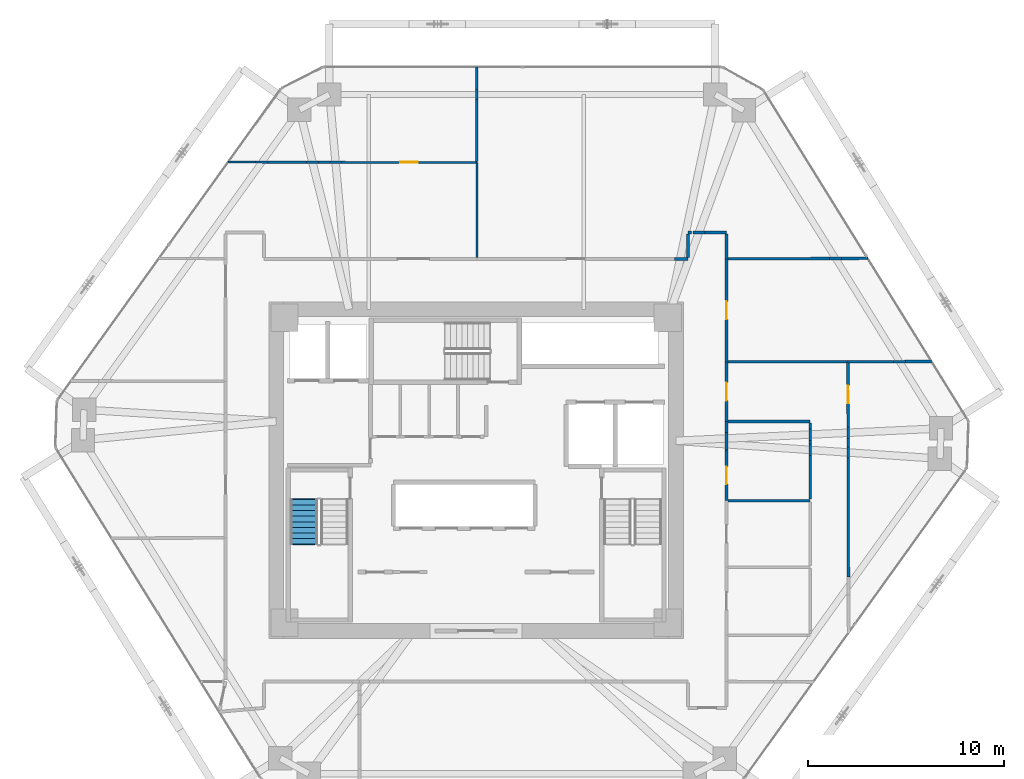
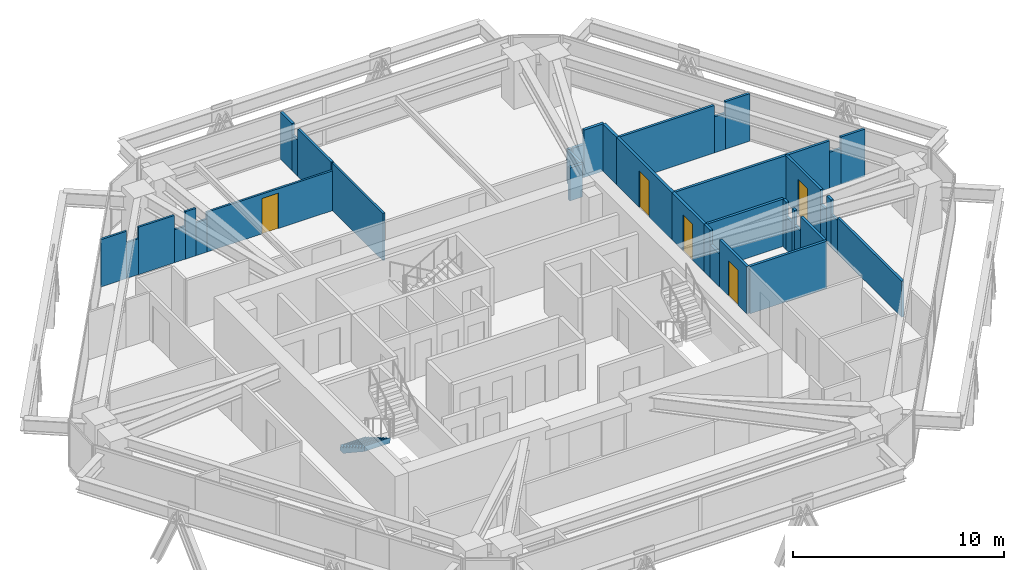
# One storey, part 15 of 17: 41 walls, 5 doors, 1 stair flight, 5 openings, 1 element without a shape of its own.
"""IFC4 building model written with IfcOpenShell, lengths in metres."""

import ifcopenshell
import ifcopenshell.guid

model = None  # the IFC model being written
_history = None  # IfcOwnerHistory: only IFC2X3 demands one
_inside = {}  # id of a spatial element -> (the spatial element, [elements in it])
_under = {}  # id of a project, library or spatial element -> (it, [spatial elements below it])
_declared = {}  # id of a project -> (the project, [libraries it declares])
_typed = {}  # id of a type object -> (the type object, [elements of that type])
_made_of = {}  # id of a material, layer set ... -> (it, [elements and type objects made of it])


def new_model(schema):
    """Start an empty IFC model of exactly this schema.

    Asked for "IFC4X3", IfcOpenShell would pick the latest addendum, in which some entities
    have other attributes; the version numbers below select the first issue.
    IFC2X3 requires an IfcOwnerHistory on every rooted entity: one is made here for all.
    """
    global model, _history
    if schema == "IFC4X3":
        model = ifcopenshell.file(schema_version=(4, 3, 0, 0))
    else:
        model = ifcopenshell.file(schema=schema)
    _inside.clear()
    _under.clear()
    _declared.clear()
    _typed.clear()
    _made_of.clear()
    _history = None
    if model.schema == "IFC2X3":
        org = make("IfcOrganization", Name="unknown")
        user = make(
            "IfcPersonAndOrganization",
            ThePerson=make("IfcPerson", FamilyName="unknown"),
            TheOrganization=org,
        )
        app = make(
            "IfcApplication",
            ApplicationDeveloper=org,
            Version="unknown",
            ApplicationFullName="unknown",
            ApplicationIdentifier="unknown",
        )
        _history = make(
            "IfcOwnerHistory",
            OwningUser=user,
            OwningApplication=app,
            ChangeAction="ADDED",
            CreationDate=0,
        )
    return model


def make(cls, **values):
    """One entity of the class cls with the attributes given. An attribute that is None is left unset."""
    return model.create_entity(
        cls, **{name: value for name, value in values.items() if value is not None}
    )


def rooted(cls, **values):
    """An entity with a GlobalId (a new one), such as an element, a storey or a relation."""
    return make(cls, GlobalId=ifcopenshell.guid.new(), OwnerHistory=_history, **values)


def si_unit(unit_type, name, prefix=None):
    """IfcSIUnit, for example si_unit("LENGTHUNIT", "METRE", prefix="MILLI")."""
    return make("IfcSIUnit", UnitType=unit_type, Prefix=prefix, Name=name)


def assignment(units):
    """IfcUnitAssignment: the units of a project."""
    return None if units is None else make("IfcUnitAssignment", Units=units)


def point(xyz):
    """IfcCartesianPoint."""
    return None if xyz is None else make("IfcCartesianPoint", Coordinates=xyz)


def direction(xyz):
    """IfcDirection."""
    return None if xyz is None else make("IfcDirection", DirectionRatios=xyz)


def frame(location, z_axis=None, x_axis=None):
    """IfcAxis2Placement3D, a coordinate frame: its origin and axes. An axis left out is left unset."""
    return make(
        "IfcAxis2Placement3D",
        Location=point(location),
        Axis=direction(z_axis),
        RefDirection=direction(x_axis),
    )


def frame_2d(location, x_axis=None):
    """IfcAxis2Placement2D, a coordinate frame in the plane: its origin and x axis."""
    return make(
        "IfcAxis2Placement2D", Location=point(location), RefDirection=direction(x_axis)
    )


def origin():
    """The frame at (0, 0, 0) with its axes left unset."""
    return frame((0.0, 0.0, 0.0))


def place(relative_to, where):
    """IfcLocalPlacement: puts the frame where relative to a parent placement (None: the world)."""
    return make(
        "IfcLocalPlacement", PlacementRelTo=relative_to, RelativePlacement=where
    )


def context(
    kind, dimensions, precision=None, world=None, true_north=None, identifier=None
):
    """IfcGeometricRepresentationContext, for example the 3D "Model" context."""
    return make(
        "IfcGeometricRepresentationContext",
        ContextIdentifier=identifier,
        ContextType=kind,
        CoordinateSpaceDimension=dimensions,
        Precision=precision,
        WorldCoordinateSystem=world,
        TrueNorth=true_north,
    )


def subcontext(parent, identifier, kind, view, scale=None):
    """IfcGeometricRepresentationSubContext, for example "Body" below "Model"."""
    return make(
        "IfcGeometricRepresentationSubContext",
        ContextIdentifier=identifier,
        ContextType=kind,
        ParentContext=parent,
        TargetScale=scale,
        TargetView=view,
    )


def project(units=None, contexts=None):
    """IfcProject with its units and contexts."""
    return rooted(
        "IfcProject",
        Name="project",
        RepresentationContexts=contexts,
        UnitsInContext=assignment(units),
    )


def spatial(cls, under=None, at=None, **own):
    """A site, building, storey or space (cls), placed at a placement, below another one or the project."""
    s = rooted(cls, ObjectPlacement=at, **own)
    if under is not None:
        _under.setdefault(under.id(), (under, []))[1].append(s)
    return s


def polyline(points):
    """IfcPolyline through the points."""
    return make("IfcPolyline", Points=[point(p) for p in points])


def profile(cls, at=None, kind="AREA", **sizes):
    """A parametric profile (cls). Its sizes go by their IFC names, for example OverallWidth=200.0."""
    return make(cls, ProfileType=kind, Position=at, **sizes)


def rectangle(**sizes):
    """IfcRectangleProfileDef."""
    return profile("IfcRectangleProfileDef", **sizes)


def outline(outer, holes=None, kind="AREA"):
    """IfcArbitraryClosedProfileDef: a profile drawn as a closed curve; with holes, ...WithVoids."""
    if holes is None:
        return make("IfcArbitraryClosedProfileDef", ProfileType=kind, OuterCurve=outer)
    return make(
        "IfcArbitraryProfileDefWithVoids",
        ProfileType=kind,
        OuterCurve=outer,
        InnerCurves=holes,
    )


def extrude(swept, where, along, depth):
    """IfcExtrudedAreaSolid: the profile swept, set in the frame where, extruded along a direction by depth."""
    return make(
        "IfcExtrudedAreaSolid",
        SweptArea=swept,
        Position=where,
        ExtrudedDirection=direction(along),
        Depth=depth,
    )


def shape(context_of_items, identifier, shape_type, items):
    """IfcShapeRepresentation: the items that make up one representation, for example the "Body"."""
    return make(
        "IfcShapeRepresentation",
        ContextOfItems=context_of_items,
        RepresentationIdentifier=identifier,
        RepresentationType=shape_type,
        Items=items,
    )


def source(mapping_origin, context_of_items, identifier, shape_type, items):
    """IfcRepresentationMap: a shape defined once, which mapped items show again and again."""
    return make(
        "IfcRepresentationMap",
        MappingOrigin=mapping_origin,
        MappedRepresentation=shape(context_of_items, identifier, shape_type, items),
    )


def transform(
    local_origin,
    x_axis=None,
    y_axis=None,
    z_axis=None,
    scale=None,
    scale2=None,
    scale3=None,
    uniform=True,
):
    """IfcCartesianTransformationOperator3D, or its non-uniform kind. x_axis, y_axis, z_axis: its Axis1, 2, 3."""
    if uniform:
        return make(
            "IfcCartesianTransformationOperator3D",
            Axis1=direction(x_axis),
            Axis2=direction(y_axis),
            LocalOrigin=point(local_origin),
            Scale=scale,
            Axis3=direction(z_axis),
        )
    return make(
        "IfcCartesianTransformationOperator3DnonUniform",
        Axis1=direction(x_axis),
        Axis2=direction(y_axis),
        LocalOrigin=point(local_origin),
        Scale=scale,
        Axis3=direction(z_axis),
        Scale2=scale2,
        Scale3=scale3,
    )


def mapped(mapping_source, mapping_target):
    """IfcMappedItem: shows the shape of a source again, moved by a transform."""
    return make(
        "IfcMappedItem", MappingSource=mapping_source, MappingTarget=mapping_target
    )


def material(Name=None, Category=None):
    """IfcMaterial."""
    return make("IfcMaterial", Name=Name, Category=Category)


def layer(
    of_material, thickness, ventilated=None, Name=None, Category=None, Priority=None
):
    """IfcMaterialLayer: one layer of a wall or slab, of a material (None: an air gap)."""
    return make(
        "IfcMaterialLayer",
        Material=of_material,
        LayerThickness=thickness,
        IsVentilated=ventilated,
        Name=Name,
        Category=Category,
        Priority=Priority,
    )


def layer_set(layers, Name=None):
    """IfcMaterialLayerSet."""
    return make("IfcMaterialLayerSet", MaterialLayers=layers, LayerSetName=Name)


def made_of(thing, what):
    """Note that an element or type object is made of a material, layer set ...; save() writes the relation."""
    if what is not None:
        _made_of.setdefault(what.id(), (what, []))[1].append(thing)
    return thing


def type_object(cls, material=None, **own):
    """A type object (cls), such as IfcWallType, which elements share."""
    return made_of(rooted(cls, **own), material)


def type_shapes(of_type, sources):
    """Give a type object the sources (RepresentationMaps) that its elements show as mapped items."""
    of_type.RepresentationMaps = sources


def element(
    cls,
    number,
    at=None,
    inside=None,
    cuts=None,
    type_object=None,
    material=None,
    context=None,
    identifier="Body",
    shape_type=None,
    held_by="IfcProductDefinitionShape",
    body=None,
    shapes=None,
    **own,
):
    """One element of the class cls, such as IfcWall. Its Tag is "e" and its number.

    at: its placement. inside: the storey or other place that contains it. cuts: it is an
    opening in that element (IfcRelVoidsElement). A single representation is given by context,
    identifier, shape_type and body (its items); several are given by shapes. held_by: the class
    of the entity that holds the representations. save() writes the other relations.
    """
    e = rooted(cls, Tag="e%d" % number, ObjectPlacement=at, **own)
    if body is not None:
        shapes = [shape(context, identifier, shape_type, body)]
    if shapes is not None:
        e.Representation = make(held_by, Representations=shapes)
    if inside is not None:
        _inside.setdefault(inside.id(), (inside, []))[1].append(e)
    if cuts is not None:
        rooted(
            "IfcRelVoidsElement", RelatingBuildingElement=cuts, RelatedOpeningElement=e
        )
    if type_object is not None:
        _typed.setdefault(type_object.id(), (type_object, []))[1].append(e)
    return made_of(e, material)


def fill(opening, filler):
    """IfcRelFillsElement: the door or window that sits in an opening."""
    return rooted(
        "IfcRelFillsElement",
        RelatingOpeningElement=opening,
        RelatedBuildingElement=filler,
    )


def aggregate(whole, parts):
    """IfcRelAggregates: a whole, such as a stair, and the parts it consists of."""
    return rooted("IfcRelAggregates", RelatingObject=whole, RelatedObjects=parts)


def save(model, path):
    """Write the relations noted so far, then the file.

    IfcRelAggregates (storeys below a building ...), IfcRelContainedInSpatialStructure (elements
    in a storey), IfcRelDefinesByType, IfcRelAssociatesMaterial and IfcRelDeclares: one each for
    every whole, place, type object, material and project.
    """
    for whole, parts in _under.values():
        aggregate(whole, parts)
    for where, things in _inside.values():
        rooted(
            "IfcRelContainedInSpatialStructure",
            RelatedElements=things,
            RelatingStructure=where,
        )
    for kind, things in _typed.values():
        rooted("IfcRelDefinesByType", RelatedObjects=things, RelatingType=kind)
    for what, things in _made_of.values():
        rooted("IfcRelAssociatesMaterial", RelatedObjects=things, RelatingMaterial=what)
    for by, libraries in _declared.values():
        rooted("IfcRelDeclares", RelatingContext=by, RelatedDefinitions=libraries)
    model.write(path)


model = new_model("IFC4")

# Units and contexts
model_context = context("Model", 3, precision=1e-05, world=origin(), true_north=direction((0.0, 1.0)))
body_context = subcontext(model_context, "Body", "Model", "MODEL_VIEW")
ifc_project = project(units=[si_unit("LENGTHUNIT", "METRE"), si_unit("AREAUNIT", "SQUARE_METRE"), si_unit("VOLUMEUNIT", "CUBIC_METRE"), si_unit("PLANEANGLEUNIT", "RADIAN"), si_unit("MASSUNIT", "GRAM", prefix="KILO")], contexts=[model_context])

# Site, building, storey
site_placement = place(None, origin())
site = spatial("IfcSite", under=ifc_project, at=site_placement, CompositionType="ELEMENT")
building_placement = place(site_placement, origin())
building = spatial("IfcBuilding", under=site, at=building_placement, Name="Durnholm Broadcast Tower", CompositionType="ELEMENT")
storey_placement = place(building_placement, frame((0.0, 0.0, 137.10009765625)))
storey = spatial("IfcBuildingStorey", under=building, at=storey_placement, Name="L37", CompositionType="ELEMENT", Elevation=137.10009765625)

# Walls
ifc_material_1 = material(Name="Operable Acoustic Panel Partition", Category="aluminium")
ifc_layer_1 = layer(ifc_material_1, 0.110107421875)
ifc_layer_set_1 = layer_set([ifc_layer_1], Name="Operable Acoustic Panel Partition")
wall_type_1 = type_object("IfcWallType", Name="WALL-MOV-110", PredefinedType="MOVABLE", material=ifc_layer_set_1)
wall_1_placement = place(storey_placement, frame((-12.67529296875, 15.75634765625, 0.0), z_axis=(0.0, 0.0, 1.0), x_axis=(0.999998150246, -0.001923409626, 0.0)))
element("IfcWall", 1, at=wall_1_placement, inside=storey, type_object=wall_type_1, Name="L37 room dividing partition 11.12", PredefinedType="MOVABLE", context=body_context, shape_type="SweptSolid", body=[
    extrude(rectangle(XDim=1.396240234375, YDim=0.110107421875, at=frame_2d((0.6982421875, 0.0))), origin(), (0.0, 0.0, 1.0), 2.744873046875),
])
wall_2_placement = place(storey_placement, frame((-10.62841796875, 15.75244140625, 0.0), z_axis=(0.0, 0.0, 1.0), x_axis=(0.999998479416, -0.001743893711, 0.0)))
element("IfcWall", 2, at=wall_2_placement, inside=storey, type_object=wall_type_1, Name="L37 room dividing partition 11.12", PredefinedType="MOVABLE", context=body_context, shape_type="SweptSolid", body=[
    extrude(rectangle(XDim=1.9599609375, YDim=0.110107421875, at=frame_2d((0.97998046875, 0.0))), origin(), (0.0, 0.0, 1.0), 2.744873046875),
])
wall_3_placement = place(storey_placement, frame((-8.0654296875, 15.747802734375, 0.0), z_axis=(0.0, 0.0, 1.0), x_axis=(0.999998623758, -0.001659060346, 0.0)))
element("IfcWall", 3, at=wall_3_placement, inside=storey, type_object=wall_type_1, Name="L37 room dividing partition 11.12", PredefinedType="MOVABLE", context=body_context, shape_type="SweptSolid", body=[
    extrude(rectangle(XDim=0.588623046875, YDim=0.110107421875, at=frame_2d((0.29443359375, 0.0))), origin(), (0.0, 0.0, 1.0), 2.744873046875),
])

# Wall, opening, door
wall_4_placement = place(storey_placement, frame((-6.889404296875, 15.74560546875, 0.0), z_axis=(0.0, 0.0, 1.0), x_axis=(0.999998321741, -0.00183207951, 0.0)))
wall_4 = element("IfcWall", 4, at=wall_4_placement, inside=storey, type_object=wall_type_1, Name="L37 room dividing partition 11.12", PredefinedType="MOVABLE", context=body_context, shape_type="SweptSolid", body=[
    extrude(rectangle(XDim=6.929443359375, YDim=0.110107421875, at=frame_2d((3.46484375, 0.0))), origin(), (0.0, 0.0, 1.0), 2.30810546875),
])
opening_1_placement = place(wall_4_placement, frame((3.0146484375, 0.0, 0.0)))
opening_1 = element("IfcOpeningElement", 5, at=opening_1_placement, cuts=wall_4, Name="Opening DW-90L", PredefinedType="OPENING", context=body_context, shape_type="SweptSolid", body=[
    extrude(rectangle(XDim=0.89990234375, YDim=2.050048828125, at=frame_2d((0.449951171875, 1.02490234375))), frame((0.0, 0.06494140625, 0.0), z_axis=(0.0, -1.0, 0.0), x_axis=(1.0, 0.0, 0.0)), (0.0, 0.0, 1.0), 0.130126953125),
])
ifc_material_2 = material(Name="Laminate Restroom Door", Category="steel")
ifc_layer_2 = layer(ifc_material_2, 0.050048828125)
ifc_layer_set_2 = layer_set([ifc_layer_2], Name="Laminate Restroom Door")
door_type_1 = type_object("IfcDoorType", Name="DOOR-WC-900L", OperationType="NOTDEFINED", PredefinedType="DOOR", material=ifc_layer_set_2)
shared_shape_1 = source(origin(), body_context, "Body", "SweptSolid", [
    extrude(rectangle(XDim=0.89990234375, YDim=2.050048828125, at=frame_2d((0.449951171875, 1.02490234375))), frame((0.0, 0.02490234375, 0.0), z_axis=(0.0, -1.0, 0.0), x_axis=(1.0, 0.0, 0.0)), (0.0, 0.0, 1.0), 0.050048828125),
])
type_shapes(door_type_1, [shared_shape_1])
door_1_placement = place(opening_1_placement, origin())
door_1 = element("IfcDoor", 6, at=door_1_placement, inside=storey, type_object=door_type_1, Name="L37 Open Plan Broadcast Workspace 3 connecting door", OperationType="SINGLE_SWING_LEFT", OverallHeight=2.050048828125, OverallWidth=0.89990234375, PredefinedType="DOOR", context=body_context, shape_type="MappedRepresentation", body=[
    mapped(shared_shape_1, transform((0.0, 0.0, 0.0), x_axis=(1.0, 0.0, 0.0), y_axis=(0.0, 1.0, 0.0), z_axis=(0.0, 0.0, 1.0), scale=1.0)),
])
fill(opening_1, door_1)

# Walls
wall_5_placement = place(storey_placement, frame((-11.279052734375, 15.753662109375, 0.0), z_axis=(0.0, 0.0, 1.0), x_axis=(0.999998239993, -0.001876169306, 0.0)))
element("IfcWall", 7, at=wall_5_placement, inside=storey, type_object=wall_type_1, Name="L37 room dividing partition 11.12", PredefinedType="MOVABLE", context=body_context, shape_type="SweptSolid", body=[
    extrude(rectangle(XDim=0.650634765625, YDim=0.110107421875, at=frame_2d((0.3251953125, 0.0))), origin(), (0.0, 0.0, 1.0), 2.079833984375),
])
wall_6_placement = place(storey_placement, frame((-8.66845703125, 15.7490234375, 0.0), z_axis=(0.0, 0.0, 1.0), x_axis=(0.999997951128, -0.00202428735, 0.0)))
element("IfcWall", 8, at=wall_6_placement, inside=storey, type_object=wall_type_1, Name="L37 room dividing partition 11.12", PredefinedType="MOVABLE", context=body_context, shape_type="SweptSolid", body=[
    extrude(rectangle(XDim=0.60302734375, YDim=0.110107421875, at=frame_2d((0.301513671875, 0.0))), origin(), (0.0, 0.0, 1.0), 1.912109375),
])
wall_7_placement = place(storey_placement, frame((-7.476806640625, 15.746826171875, 0.0), z_axis=(0.0, 0.0, 1.0), x_axis=(0.999997840678, -0.002078133501, 0.0)))
element("IfcWall", 9, at=wall_7_placement, inside=storey, type_object=wall_type_1, Name="L37 room dividing partition 11.12", PredefinedType="MOVABLE", context=body_context, shape_type="SweptSolid", body=[
    extrude(rectangle(XDim=0.58740234375, YDim=0.110107421875, at=frame_2d((0.293701171875, 0.0))), origin(), (0.0, 0.0, 1.0), 1.912109375),
])
wall_8_placement = place(storey_placement, frame((0.0400390625, 15.73291015625, 0.0), z_axis=(0.0, 0.0, 1.0), x_axis=(0.0, -1.0, 0.0)))
element("IfcWall", 10, at=wall_8_placement, inside=storey, type_object=wall_type_1, Name="L37 room dividing partition 11.13", PredefinedType="MOVABLE", context=body_context, shape_type="SweptSolid", body=[
    extrude(rectangle(XDim=4.843994140625, YDim=0.110107421875, at=frame_2d((2.421875, 0.0))), origin(), (0.0, 0.0, 1.0), 2.744873046875),
])
ifc_material_3 = material(Name="Gypsum Metal Stud Partition", Category="concrete")
ifc_layer_3 = layer(ifc_material_3, 0.135009765625)
ifc_layer_set_3 = layer_set([ifc_layer_3], Name="Gypsum Metal Stud Partition")
wall_type_2 = type_object("IfcWallType", Name="WALL-PART-135", PredefinedType="PARTITIONING", material=ifc_layer_set_3)
wall_9_placement = place(storey_placement, frame((0.0400390625, 20.614990234375, 0.0), z_axis=(0.0, 0.0, 1.0), x_axis=(0.0, -1.0, 0.0)))
element("IfcWall", 11, at=wall_9_placement, inside=storey, type_object=wall_type_2, Name="L37 room dividing partition 12.13", PredefinedType="PARTITIONING", context=body_context, shape_type="SweptSolid", body=[
    extrude(rectangle(XDim=1.135498046875, YDim=0.135009765625, at=frame_2d((0.56787109375, 0.0))), origin(), (0.0, 0.0, 1.0), 2.744873046875),
])
wall_10_placement = place(storey_placement, frame((0.0400390625, 18.950439453125, 0.0), z_axis=(0.0, 0.0, 1.0), x_axis=(0.0, -1.0, 0.0)))
element("IfcWall", 12, at=wall_10_placement, inside=storey, type_object=wall_type_2, Name="L37 room dividing partition 12.13", PredefinedType="PARTITIONING", context=body_context, shape_type="SweptSolid", body=[
    extrude(rectangle(XDim=3.158447265625, YDim=0.135009765625, at=frame_2d((1.5791015625, 0.0))), origin(), (0.0, 0.0, 1.0), 2.744873046875),
])
wall_11_placement = place(storey_placement, frame((0.0400390625, 19.4794921875, 0.0), z_axis=(0.0, 0.0, 1.0), x_axis=(0.0, -1.0, 0.0)))
element("IfcWall", 13, at=wall_11_placement, inside=storey, type_object=wall_type_2, Name="L37 room dividing partition 12.13", PredefinedType="PARTITIONING", context=body_context, shape_type="SweptSolid", body=[
    extrude(rectangle(XDim=0.529052734375, YDim=0.135009765625, at=frame_2d((0.2646484375, 0.0))), origin(), (0.0, 0.0, 1.0), 2.079833984375),
])
wall_12_placement = place(storey_placement, frame((20.03515625, 10.8310546875, 0.0), z_axis=(0.0, 0.0, 1.0), x_axis=(-0.999995711111, -0.002928781142, 0.0)))
element("IfcWall", 14, at=wall_12_placement, inside=storey, type_object=wall_type_2, Name="L37 room dividing partition 13.21", PredefinedType="PARTITIONING", context=body_context, shape_type="SweptSolid", body=[
    extrude(rectangle(XDim=1.333740234375, YDim=0.135009765625, at=frame_2d((0.6669921875, 0.0))), origin(), (0.0, 0.0, 1.0), 2.744873046875),
])
wall_13_placement = place(storey_placement, frame((18.080078125, 10.825439453125, 0.0), z_axis=(0.0, 0.0, 1.0), x_axis=(-0.999995748898, -0.002915850841, 0.0)))
element("IfcWall", 15, at=wall_13_placement, inside=storey, type_object=wall_type_2, Name="L37 room dividing partition 13.21", PredefinedType="PARTITIONING", context=body_context, shape_type="SweptSolid", body=[
    extrude(rectangle(XDim=5.191162109375, YDim=0.135009765625, at=frame_2d((2.595703125, 0.0))), origin(), (0.0, 0.0, 1.0), 2.744873046875),
])
wall_14_placement = place(storey_placement, frame((18.701416015625, 10.8271484375, 0.0), z_axis=(0.0, 0.0, 1.0), x_axis=(-0.999996217421, -0.002750480755, 0.0)))
element("IfcWall", 16, at=wall_14_placement, inside=storey, type_object=wall_type_2, Name="L37 room dividing partition 13.21", PredefinedType="PARTITIONING", context=body_context, shape_type="SweptSolid", body=[
    extrude(rectangle(XDim=0.621337890625, YDim=0.135009765625, at=frame_2d((0.310546875, 0.0))), origin(), (0.0, 0.0, 1.0), 2.079833984375),
])

# Wall, opening, door
wall_15_placement = place(storey_placement, frame((19.02197265625, 5.5400390625, 0.0), z_axis=(0.0, 0.0, 1.0), x_axis=(0.002343457498, -0.9999972541, 0.0)))
wall_15 = element("IfcWall", 17, at=wall_15_placement, inside=storey, type_object=wall_type_2, Name="L37 room dividing partition 19.20", PredefinedType="PARTITIONING", context=body_context, shape_type="SweptSolid", body=[
    extrude(rectangle(XDim=3.333740234375, YDim=0.135009765625, at=frame_2d((1.6669921875, 0.0))), origin(), (0.0, 0.0, 1.0), 2.744873046875),
])
opening_2_placement = place(wall_15_placement, frame((1.216796875, 0.0, 0.0)))
opening_2 = element("IfcOpeningElement", 18, at=opening_2_placement, cuts=wall_15, Name="Opening DW-90L", PredefinedType="OPENING", context=body_context, shape_type="SweptSolid", body=[
    extrude(rectangle(XDim=0.89990234375, YDim=2.050048828125, at=frame_2d((0.449951171875, 1.02490234375))), frame((0.0, 0.07763671875, 0.0), z_axis=(0.0, -1.0, 0.0), x_axis=(1.0, 0.0, 0.0)), (0.0, 0.0, 1.0), 0.155029296875),
])
door_2_placement = place(opening_2_placement, origin())
door_2 = element("IfcDoor", 19, at=door_2_placement, inside=storey, type_object=door_type_1, Name="L37 Open Plan Broadcast Workspace 5 connecting door", OperationType="SINGLE_SWING_LEFT", OverallHeight=2.050048828125, OverallWidth=0.89990234375, PredefinedType="DOOR", context=body_context, shape_type="MappedRepresentation", body=[
    mapped(shared_shape_1, transform((0.0, 0.0, 0.0), x_axis=(1.0, 0.0, 0.0), y_axis=(0.0, 1.0, 0.0), z_axis=(0.0, 0.0, 1.0), scale=1.0)),
])
fill(opening_2, door_2)

# Walls
wall_16_placement = place(storey_placement, frame((19.03125, 1.620849609375, 0.0), z_axis=(0.0, 0.0, 1.0), x_axis=(0.002306798937, -0.999997339336, 0.0)))
element("IfcWall", 20, at=wall_16_placement, inside=storey, type_object=wall_type_2, Name="L37 room dividing partition 19.20", PredefinedType="PARTITIONING", context=body_context, shape_type="SweptSolid", body=[
    extrude(rectangle(XDim=0.42333984375, YDim=0.135009765625, at=frame_2d((0.211669921875, 0.0))), origin(), (0.0, 0.0, 1.0), 2.744873046875),
])
wall_17_placement = place(storey_placement, frame((19.03369140625, 0.611083984375, 0.0), z_axis=(0.0, 0.0, 1.0), x_axis=(0.002326787941, -0.999997293025, 0.0)))
element("IfcWall", 21, at=wall_17_placement, inside=storey, type_object=wall_type_2, Name="L37 room dividing partition 19.20", PredefinedType="PARTITIONING", context=body_context, shape_type="SweptSolid", body=[
    extrude(rectangle(XDim=6.085693359375, YDim=0.135009765625, at=frame_2d((3.04296875, 0.0))), origin(), (0.0, 0.0, 1.0), 2.079833984375),
])
wall_18_placement = place(storey_placement, frame((19.02978515625, 2.206298828125, 0.0), z_axis=(0.0, 0.0, 1.0), x_axis=(0.002502077239, -0.9999968698, 0.0)))
element("IfcWall", 22, at=wall_18_placement, inside=storey, type_object=wall_type_2, Name="L37 room dividing partition 19.20", PredefinedType="PARTITIONING", context=body_context, shape_type="SweptSolid", body=[
    extrude(rectangle(XDim=0.58544921875, YDim=0.135009765625, at=frame_2d((0.292724609375, 0.0))), origin(), (0.0, 0.0, 1.0), 1.912109375),
])
wall_19_placement = place(storey_placement, frame((19.0322265625, 1.197509765625, 0.0), z_axis=(0.0, 0.0, 1.0), x_axis=(0.002497910608, -0.999996880216, 0.0)))
element("IfcWall", 23, at=wall_19_placement, inside=storey, type_object=wall_type_2, Name="L37 room dividing partition 19.20", PredefinedType="PARTITIONING", context=body_context, shape_type="SweptSolid", body=[
    extrude(rectangle(XDim=0.58642578125, YDim=0.135009765625, at=frame_2d((0.293212890625, 0.0))), origin(), (0.0, 0.0, 1.0), 1.912109375),
])
wall_20_placement = place(storey_placement, frame((12.888916015625, 5.5400390625, 0.0), z_axis=(0.0, 0.0, 1.0), x_axis=(1.0, 0.0, 0.0)))
element("IfcWall", 24, at=wall_20_placement, inside=storey, type_object=wall_type_2, Name="L37 room dividing partition 19.21", PredefinedType="PARTITIONING", context=body_context, shape_type="SweptSolid", body=[
    extrude(rectangle(XDim=6.133056640625, YDim=0.135009765625, at=frame_2d((3.06640625, 0.0))), origin(), (0.0, 0.0, 1.0), 2.744873046875),
])
wall_21_placement = place(storey_placement, frame((19.02197265625, 5.540283203125, 0.0), z_axis=(0.0, 0.0, 1.0), x_axis=(0.999987864405, 0.00492656495, 0.0)))
element("IfcWall", 25, at=wall_21_placement, inside=storey, type_object=wall_type_2, Name="L37 room dividing partition 20.21", PredefinedType="PARTITIONING", context=body_context, shape_type="SweptSolid", body=[
    extrude(rectangle(XDim=2.3291015625, YDim=0.135009765625, at=frame_2d((1.16455078125, 0.0))), origin(), (0.0, 0.0, 1.0), 2.744873046875),
])
wall_22_placement = place(storey_placement, frame((21.971923828125, 5.5546875, 0.0), z_axis=(0.0, 0.0, 1.0), x_axis=(0.999988649855, 0.004764468553, 0.0)))
element("IfcWall", 26, at=wall_22_placement, inside=storey, type_object=wall_type_2, Name="L37 room dividing partition 20.21", PredefinedType="PARTITIONING", context=body_context, shape_type="SweptSolid", body=[
    extrude(rectangle(XDim=1.332275390625, YDim=0.135009765625, at=frame_2d((0.666015625, 0.0))), origin(), (0.0, 0.0, 1.0), 2.744873046875),
])
wall_23_placement = place(storey_placement, frame((21.35107421875, 5.5517578125, 0.0), z_axis=(0.0, 0.0, 1.0), x_axis=(0.999988866479, 0.004718783483, 0.0)))
element("IfcWall", 27, at=wall_23_placement, inside=storey, type_object=wall_type_2, Name="L37 room dividing partition 20.21", PredefinedType="PARTITIONING", context=body_context, shape_type="SweptSolid", body=[
    extrude(rectangle(XDim=0.620849609375, YDim=0.135009765625, at=frame_2d((0.310546875, 0.0))), origin(), (0.0, 0.0, 1.0), 2.079833984375),
])
ifc_material_4 = material(Name="Acoustic Gypsum Stud Partition", Category="concrete")
ifc_layer_4 = layer(ifc_material_4, 0.14990234375)
ifc_layer_set_4 = layer_set([ifc_layer_4], Name="Acoustic Gypsum Stud Partition")
wall_type_3 = type_object("IfcWallType", Name="WALL-PART-150", PredefinedType="PARTITIONING", material=ifc_layer_set_4)
wall_24_placement = place(storey_placement, frame((10.840087890625, 10.81005859375, 0.0), z_axis=(0.0, 0.0, 1.0), x_axis=(-1.0, 0.0, 0.0)))
element("IfcWall", 28, at=wall_24_placement, inside=storey, type_object=wall_type_3, Name="L37 Realtime Graphics Lounge corridor partition", PredefinedType="PARTITIONING", context=body_context, shape_type="SweptSolid", body=[
    extrude(rectangle(XDim=0.698486328125, YDim=0.14990234375, at=frame_2d((0.34912109375, 0.0))), origin(), (0.0, 0.0, 1.0), 1.912109375),
])
wall_25_placement = place(storey_placement, frame((12.81005859375, 12.159912109375, 0.0), z_axis=(0.0, 0.0, 1.0), x_axis=(-1.0, 0.0, 0.0)))
element("IfcWall", 29, at=wall_25_placement, inside=storey, type_object=wall_type_3, Name="L37 Realtime Graphics Lounge corridor partition", PredefinedType="PARTITIONING", context=body_context, shape_type="SweptSolid", body=[
    extrude(rectangle(XDim=1.09765625, YDim=0.14990234375, at=frame_2d((0.548828125, 0.0))), origin(), (0.0, 0.0, 1.0), 2.744873046875),
])
wall_26_placement = place(storey_placement, frame((11.71240234375, 12.159912109375, 0.0), z_axis=(0.0, 0.0, 1.0), x_axis=(-1.0, 0.0, 0.0)))
element("IfcWall", 30, at=wall_26_placement, inside=storey, type_object=wall_type_3, Name="L37 Realtime Graphics Lounge corridor partition", PredefinedType="PARTITIONING", context=body_context, shape_type="SweptSolid", body=[
    extrude(rectangle(XDim=0.623291015625, YDim=0.14990234375, at=frame_2d((0.3115234375, 0.0))), origin(), (0.0, 0.0, 1.0), 1.912109375),
])
wall_27_placement = place(storey_placement, frame((11.027099609375, 12.159912109375, 0.0), z_axis=(0.0, 0.0, 1.0), x_axis=(-1.0, 0.0, 0.0)))
element("IfcWall", 31, at=wall_27_placement, inside=storey, type_object=wall_type_3, Name="L37 Realtime Graphics Lounge corridor partition", PredefinedType="PARTITIONING", context=body_context, shape_type="SweptSolid", body=[
    extrude(rectangle(XDim=0.18701171875, YDim=0.14990234375, at=frame_2d((0.093505859375, 0.0))), origin(), (0.0, 0.0, 1.0), 1.912109375),
])
wall_28_placement = place(storey_placement, frame((12.81005859375, 10.81005859375, 0.0), z_axis=(0.0, 0.0, 1.0), x_axis=(0.0, 1.0, 0.0)))
element("IfcWall", 32, at=wall_28_placement, inside=storey, type_object=wall_type_3, Name="L37 Realtime Graphics Lounge corridor partition", PredefinedType="PARTITIONING", context=body_context, shape_type="SweptSolid", body=[
    extrude(rectangle(XDim=1.27099609375, YDim=0.14990234375, at=frame_2d((0.635498046875, 0.0))), origin(), (0.0, 0.0, 1.0), 2.744873046875),
])
wall_29_placement = place(storey_placement, frame((10.840087890625, 12.0810546875, 0.0), z_axis=(0.0, 0.0, 1.0), x_axis=(0.0, -1.0, 0.0)))
element("IfcWall", 33, at=wall_29_placement, inside=storey, type_object=wall_type_3, Name="L37 Realtime Graphics Lounge corridor partition", PredefinedType="PARTITIONING", context=body_context, shape_type="SweptSolid", body=[
    extrude(rectangle(XDim=1.192138671875, YDim=0.14990234375, at=frame_2d((0.59619140625, 0.0))), origin(), (0.0, 0.0, 1.0), 1.912109375),
])

# Wall, opening, door
wall_30_placement = place(storey_placement, frame((12.81005859375, 2.489990234375, 0.0), z_axis=(0.0, 0.0, 1.0), x_axis=(0.0, 1.0, 0.0)))
wall_30 = element("IfcWall", 34, at=wall_30_placement, inside=storey, type_object=wall_type_3, Name="L37 Realtime Graphics Lounge corridor partition", PredefinedType="PARTITIONING", context=body_context, shape_type="SweptSolid", body=[
    extrude(rectangle(XDim=3.050048828125, YDim=0.14990234375, at=frame_2d((1.52490234375, 0.0))), origin(), (0.0, 0.0, 1.0), 2.744873046875),
])
opening_3_placement = place(wall_30_placement, frame((1.06494140625, 0.0, 0.0)))
opening_3 = element("IfcOpeningElement", 35, at=opening_3_placement, cuts=wall_30, Name="Opening DR-92L", PredefinedType="OPENING", context=body_context, shape_type="SweptSolid", body=[
    extrude(rectangle(XDim=0.919921875, YDim=2.10009765625, at=frame_2d((0.4599609375, 1.050048828125))), frame((0.0, 0.0849609375, 0.0), z_axis=(0.0, -1.0, 0.0), x_axis=(1.0, 0.0, 0.0)), (0.0, 0.0, 1.0), 0.169921875),
])
ifc_material_5 = material(Name="Oak Veneer Office Door", Category="wood")
ifc_layer_5 = layer(ifc_material_5, 0.050048828125)
ifc_layer_set_5 = layer_set([ifc_layer_5], Name="Oak Veneer Office Door")
door_type_2 = type_object("IfcDoorType", Name="DOOR-RM-920L", OperationType="NOTDEFINED", PredefinedType="DOOR", material=ifc_layer_set_5)
shared_shape_2 = source(origin(), body_context, "Body", "SweptSolid", [
    extrude(rectangle(XDim=0.919921875, YDim=2.10009765625, at=frame_2d((0.4599609375, 1.050048828125))), frame((0.0, 0.02490234375, 0.0), z_axis=(0.0, -1.0, 0.0), x_axis=(1.0, 0.0, 0.0)), (0.0, 0.0, 1.0), 0.050048828125),
])
type_shapes(door_type_2, [shared_shape_2])
door_3_placement = place(opening_3_placement, origin())
door_3 = element("IfcDoor", 36, at=door_3_placement, inside=storey, type_object=door_type_2, Name="L37 Realtime Graphics Lounge entrance door", OperationType="SINGLE_SWING_LEFT", OverallHeight=2.10009765625, OverallWidth=0.919921875, PredefinedType="DOOR", context=body_context, shape_type="MappedRepresentation", body=[
    mapped(shared_shape_2, transform((0.0, 0.0, 0.0), x_axis=(1.0, 0.0, 0.0), y_axis=(0.0, 1.0, 0.0), z_axis=(0.0, 0.0, 1.0), scale=1.0)),
])
fill(opening_3, door_3)

wall_31_placement = place(storey_placement, frame((12.81005859375, 5.5400390625, 0.0), z_axis=(0.0, 0.0, 1.0), x_axis=(0.0, 1.0, 0.0)))
wall_31 = element("IfcWall", 37, at=wall_31_placement, inside=storey, type_object=wall_type_3, Name="L37 Studio Kitchen corridor partition", PredefinedType="PARTITIONING", context=body_context, shape_type="SweptSolid", body=[
    extrude(rectangle(XDim=5.27001953125, YDim=0.14990234375, at=frame_2d((2.635009765625, 0.0))), origin(), (0.0, 0.0, 1.0), 2.744873046875),
])
opening_4_placement = place(wall_31_placement, frame((2.175048828125, 0.0, 0.0)))
opening_4 = element("IfcOpeningElement", 38, at=opening_4_placement, cuts=wall_31, Name="Opening DR-92R", PredefinedType="OPENING", context=body_context, shape_type="SweptSolid", body=[
    extrude(rectangle(XDim=0.919921875, YDim=2.10009765625, at=frame_2d((0.4599609375, 1.050048828125))), frame((0.0, 0.0849609375, 0.0), z_axis=(0.0, -1.0, 0.0), x_axis=(1.0, 0.0, 0.0)), (0.0, 0.0, 1.0), 0.169921875),
])
ifc_layer_6 = layer(ifc_material_5, 0.050048828125)
ifc_layer_set_6 = layer_set([ifc_layer_6], Name="Oak Veneer Office Door")
door_type_3 = type_object("IfcDoorType", Name="DOOR-RM-920R", OperationType="NOTDEFINED", PredefinedType="DOOR", material=ifc_layer_set_6)
shared_shape_3 = source(origin(), body_context, "Body", "SweptSolid", [
    extrude(rectangle(XDim=0.919921875, YDim=2.10009765625, at=frame_2d((0.4599609375, 1.050048828125))), frame((0.0, 0.02490234375, 0.0), z_axis=(0.0, -1.0, 0.0), x_axis=(1.0, 0.0, 0.0)), (0.0, 0.0, 1.0), 0.050048828125),
])
type_shapes(door_type_3, [shared_shape_3])
door_4_placement = place(opening_4_placement, origin())
door_4 = element("IfcDoor", 39, at=door_4_placement, inside=storey, type_object=door_type_3, Name="L37 Studio Kitchen entrance door", OperationType="SINGLE_SWING_RIGHT", OverallHeight=2.10009765625, OverallWidth=0.919921875, PredefinedType="DOOR", context=body_context, shape_type="MappedRepresentation", body=[
    mapped(shared_shape_3, transform((0.0, 0.0, 0.0), x_axis=(1.0, 0.0, 0.0), y_axis=(0.0, 1.0, 0.0), z_axis=(0.0, 0.0, 1.0), scale=1.0)),
])
fill(opening_4, door_4)

ifc_material_6 = material(Name="Moisture-Resistant Tile Partition", Category="concrete")
ifc_layer_7 = layer(ifc_material_6, 0.139892578125)
ifc_layer_set_7 = layer_set([ifc_layer_7], Name="Moisture-Resistant Tile Partition")
wall_type_4 = type_object("IfcWallType", Name="WALL-WC-140", PredefinedType="PARTITIONING", material=ifc_layer_set_7)
wall_32_placement = place(storey_placement, frame((12.81005859375, -1.56005859375, 0.0), z_axis=(0.0, 0.0, 1.0), x_axis=(0.0, 1.0, 0.0)))
wall_32 = element("IfcWall", 40, at=wall_32_placement, inside=storey, type_object=wall_type_4, Name="L37 Accessible Restroom corridor partition", PredefinedType="PARTITIONING", context=body_context, shape_type="SweptSolid", body=[
    extrude(rectangle(XDim=2.592041015625, YDim=0.139892578125, at=frame_2d((1.2958984375, 0.0))), origin(), (0.0, 0.0, 1.0), 2.744873046875),
])
opening_5_placement = place(wall_32_placement, frame((0.84619140625, 0.0, 0.0)))
opening_5 = element("IfcOpeningElement", 41, at=opening_5_placement, cuts=wall_32, Name="Opening DW-90R", PredefinedType="OPENING", context=body_context, shape_type="SweptSolid", body=[
    extrude(rectangle(XDim=0.89990234375, YDim=2.050048828125, at=frame_2d((0.449951171875, 1.02490234375))), frame((0.0, 0.080078125, 0.0), z_axis=(0.0, -1.0, 0.0), x_axis=(1.0, 0.0, 0.0)), (0.0, 0.0, 1.0), 0.159912109375),
])
ifc_layer_8 = layer(ifc_material_2, 0.050048828125)
ifc_layer_set_8 = layer_set([ifc_layer_8], Name="Laminate Restroom Door")
door_type_4 = type_object("IfcDoorType", Name="DOOR-WC-900R", OperationType="NOTDEFINED", PredefinedType="DOOR", material=ifc_layer_set_8)
shared_shape_4 = source(origin(), body_context, "Body", "SweptSolid", [
    extrude(rectangle(XDim=0.89990234375, YDim=2.050048828125, at=frame_2d((0.449951171875, 1.02490234375))), frame((0.0, 0.02490234375, 0.0), z_axis=(0.0, -1.0, 0.0), x_axis=(1.0, 0.0, 0.0)), (0.0, 0.0, 1.0), 0.050048828125),
])
type_shapes(door_type_4, [shared_shape_4])
door_5_placement = place(opening_5_placement, origin())
door_5 = element("IfcDoor", 42, at=door_5_placement, inside=storey, type_object=door_type_4, Name="L37 Accessible Restroom entrance door", OperationType="SINGLE_SWING_RIGHT", OverallHeight=2.050048828125, OverallWidth=0.89990234375, PredefinedType="DOOR", context=body_context, shape_type="MappedRepresentation", body=[
    mapped(shared_shape_4, transform((0.0, 0.0, 0.0), x_axis=(1.0, 0.0, 0.0), y_axis=(0.0, 1.0, 0.0), z_axis=(0.0, 0.0, 1.0), scale=1.0)),
])
fill(opening_5, door_5)

# Walls
wall_33_placement = place(storey_placement, frame((12.81005859375, 1.914306640625, 0.0), z_axis=(0.0, 0.0, 1.0), x_axis=(0.0, 1.0, 0.0)))
element("IfcWall", 43, at=wall_33_placement, inside=storey, type_object=wall_type_4, Name="L37 Accessible Restroom corridor partition", PredefinedType="PARTITIONING", context=body_context, shape_type="SweptSolid", body=[
    extrude(rectangle(XDim=0.57568359375, YDim=0.139892578125, at=frame_2d((0.287841796875, 0.0))), origin(), (0.0, 0.0, 1.0), 2.744873046875),
])
wall_34_placement = place(storey_placement, frame((12.81005859375, 1.031982421875, 0.0), z_axis=(0.0, 0.0, 1.0), x_axis=(0.0, 1.0, 0.0)))
element("IfcWall", 44, at=wall_34_placement, inside=storey, type_object=wall_type_4, Name="L37 Accessible Restroom corridor partition", PredefinedType="PARTITIONING", context=body_context, shape_type="SweptSolid", body=[
    extrude(rectangle(XDim=0.88232421875, YDim=0.139892578125, at=frame_2d((0.441162109375, 0.0))), origin(), (0.0, 0.0, 1.0), 1.912109375),
])
wall_35_placement = place(storey_placement, frame((12.884033203125, -1.56005859375, 0.0), z_axis=(0.0, 0.0, 1.0), x_axis=(1.0, 0.0, 0.0)))
element("IfcWall", 45, at=wall_35_placement, inside=storey, type_object=wall_type_4, Name="L37 room dividing partition 9.10", PredefinedType="PARTITIONING", context=body_context, shape_type="SweptSolid", body=[
    extrude(rectangle(XDim=4.2060546875, YDim=0.139892578125, at=frame_2d((2.10302734375, 0.0))), origin(), (0.0, 0.0, 1.0), 2.744873046875),
])
wall_36_placement = place(storey_placement, frame((12.888916015625, 2.489990234375, 0.0), z_axis=(0.0, 0.0, 1.0), x_axis=(1.0, 0.0, 0.0)))
element("IfcWall", 46, at=wall_36_placement, inside=storey, type_object=wall_type_4, Name="L37 room dividing partition 10.19", PredefinedType="PARTITIONING", context=body_context, shape_type="SweptSolid", body=[
    extrude(rectangle(XDim=4.201171875, YDim=0.139892578125, at=frame_2d((2.1005859375, 0.0))), origin(), (0.0, 0.0, 1.0), 2.744873046875),
])
wall_37_placement = place(storey_placement, frame((17.090087890625, 2.416015625, 0.0), z_axis=(0.0, 0.0, 1.0), x_axis=(0.0, -1.0, 0.0)))
element("IfcWall", 47, at=wall_37_placement, inside=storey, type_object=wall_type_4, Name="L37 room dividing partition 10.19", PredefinedType="PARTITIONING", context=body_context, shape_type="SweptSolid", body=[
    extrude(rectangle(XDim=0.30078125, YDim=0.139892578125, at=frame_2d((0.150390625, 0.0))), origin(), (0.0, 0.0, 1.0), 2.744873046875),
])
wall_38_placement = place(storey_placement, frame((17.090087890625, 1.529541015625, 0.0), z_axis=(0.0, 0.0, 1.0), x_axis=(0.0, -1.0, 0.0)))
element("IfcWall", 48, at=wall_38_placement, inside=storey, type_object=wall_type_4, Name="L37 room dividing partition 10.19", PredefinedType="PARTITIONING", context=body_context, shape_type="SweptSolid", body=[
    extrude(rectangle(XDim=0.20068359375, YDim=0.139892578125, at=frame_2d((0.100341796875, 0.0))), origin(), (0.0, 0.0, 1.0), 2.744873046875),
])
wall_39_placement = place(storey_placement, frame((17.090087890625, 0.74267578125, 0.0), z_axis=(0.0, 0.0, 1.0), x_axis=(0.0, -1.0, 0.0)))
element("IfcWall", 49, at=wall_39_placement, inside=storey, type_object=wall_type_4, Name="L37 room dividing partition 10.19", PredefinedType="PARTITIONING", context=body_context, shape_type="SweptSolid", body=[
    extrude(rectangle(XDim=2.228759765625, YDim=0.139892578125, at=frame_2d((1.1142578125, 0.0))), origin(), (0.0, 0.0, 1.0), 2.744873046875),
])
wall_40_placement = place(storey_placement, frame((17.090087890625, 2.115234375, 0.0), z_axis=(0.0, 0.0, 1.0), x_axis=(0.0, -1.0, 0.0)))
element("IfcWall", 50, at=wall_40_placement, inside=storey, type_object=wall_type_4, Name="L37 room dividing partition 10.19", PredefinedType="PARTITIONING", context=body_context, shape_type="SweptSolid", body=[
    extrude(rectangle(XDim=0.585693359375, YDim=0.139892578125, at=frame_2d((0.29296875, 0.0))), origin(), (0.0, 0.0, 1.0), 1.912109375),
])
wall_41_placement = place(storey_placement, frame((17.090087890625, 1.328857421875, 0.0), z_axis=(0.0, 0.0, 1.0), x_axis=(0.0, -1.0, 0.0)))
element("IfcWall", 51, at=wall_41_placement, inside=storey, type_object=wall_type_4, Name="L37 room dividing partition 10.19", PredefinedType="PARTITIONING", context=body_context, shape_type="SweptSolid", body=[
    extrude(rectangle(XDim=0.586181640625, YDim=0.139892578125, at=frame_2d((0.29296875, 0.0))), origin(), (0.0, 0.0, 1.0), 1.912109375),
])

# Stair, stair flight
ifc_material_7 = material(Name="Concrete C50/60", Category="concrete")
stair_type = type_object("IfcStairType", Name="STAIR-DL-18R1667", PredefinedType="HALF_TURN_STAIR", material=ifc_material_7)
stair_placement = place(storey_placement, origin())
stair = element("IfcStair", 52, at=stair_placement, inside=storey, type_object=stair_type, Name="L37 ST-1", PredefinedType="HALF_TURN_STAIR")
stair_flight_type = type_object("IfcStairFlightType", Name="FLIGHT-DL-18R1667", PredefinedType="STRAIGHT", material=ifc_material_7)
stair_flight_placement = place(storey_placement, frame((-8.800048828125, -1.5, 0.0), z_axis=(0.0, 0.0, 1.0), x_axis=(0.0, -1.0, 0.0)))
stair_flight = element("IfcStairFlight", 53, at=stair_flight_placement, type_object=stair_flight_type, Name="ST-1 flight 1", NumberOfRisers=9, NumberOfTreads=8, PredefinedType="STRAIGHT", RiserHeight=0.166666667, TreadLength=0.285, context=body_context, shape_type="SweptSolid", body=[
    extrude(outline(polyline([(-0.0400390625, -0.14990234375), (-0.0400390625, 0.0), (0.0, 0.0), (0.0, 0.166748046875), (0.284912109375, 0.166748046875), (0.284912109375, 0.333251953125), (0.570068359375, 0.333251953125), (0.570068359375, 0.5), (0.85498046875, 0.5), (0.85498046875, 0.666748046875), (1.139892578125, 0.666748046875), (1.139892578125, 0.833251953125), (1.425048828125, 0.833251953125), (1.425048828125, 1.0), (1.7099609375, 1.0), (1.7099609375, 1.166748046875), (1.9951171875, 1.166748046875), (1.9951171875, 1.333251953125), (2.280029296875, 1.333251953125), (2.280029296875, 1.5), (2.320068359375, 1.5), (2.320068359375, 1.35009765625), (2.280029296875, 1.15966796875), (0.296875, -0.14990234375), (-0.0400390625, -0.14990234375)])), frame((0.0, 0.699951171875, 0.0), z_axis=(0.0, -1.0, 0.0), x_axis=(1.0, 0.0, 0.0)), (0.0, 0.0, 1.0), 1.39990234375),
])
aggregate(stair, [stair_flight])

save(model, "model.ifc")
